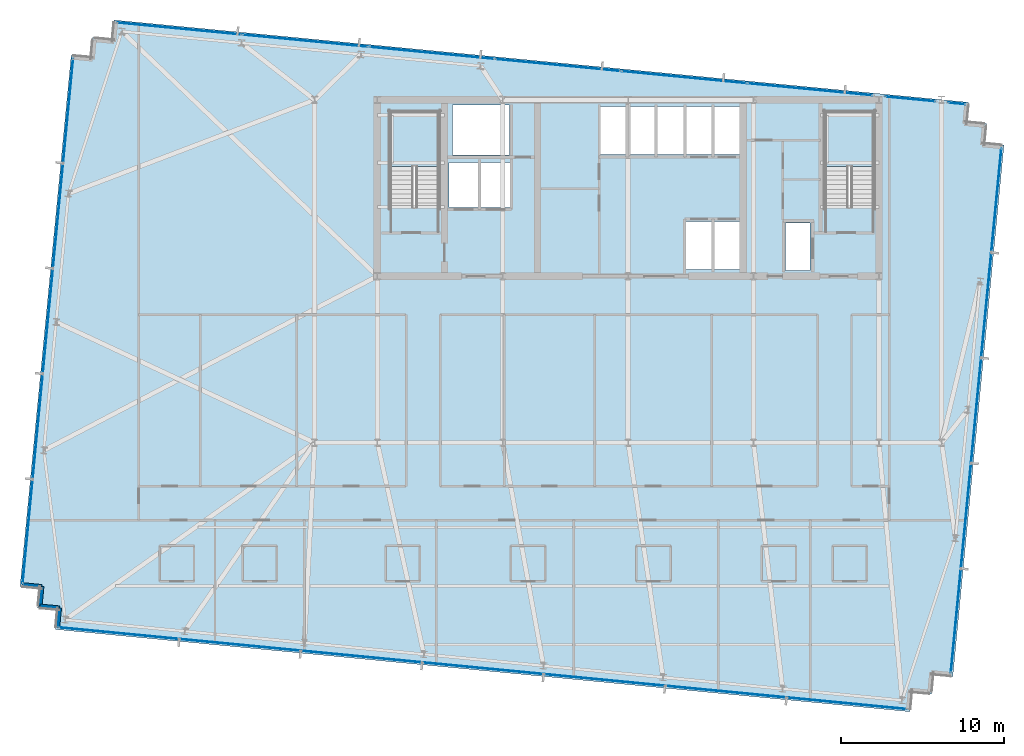
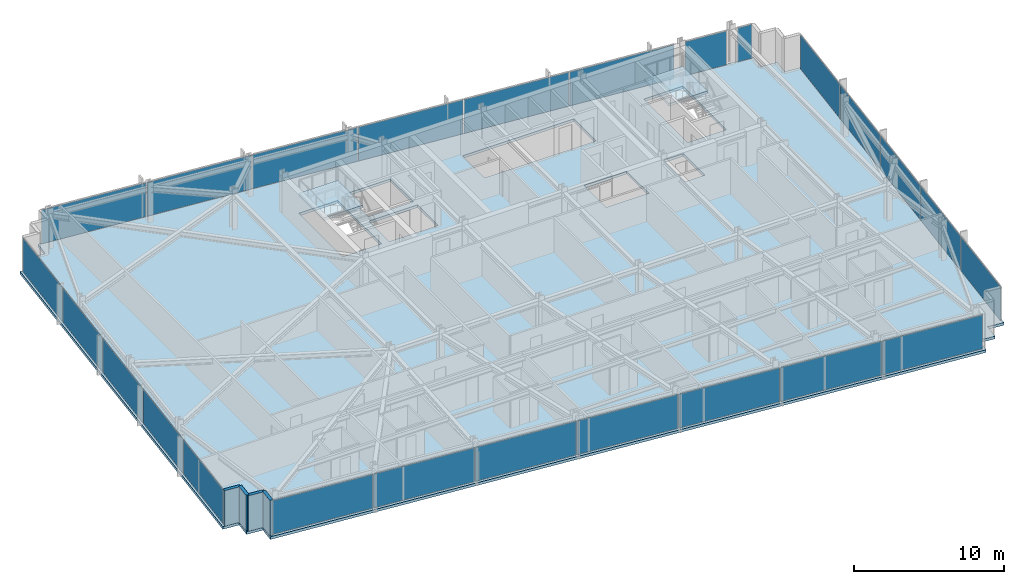
# One storey, part 28 of 37: 25 plates, 4 walls, 3 slabs, 8 elements without a shape of their own.
"""IFC4 building model written with IfcOpenShell, lengths in metres."""

from ifc_helpers import new_model, si_unit, direction, frame, frame_2d, origin, origin_2d, place, context, subcontext, project, spatial, polyline, rectangle, outline, extrude, material, layer, layer_set, type_object, element, aggregate, save


model = new_model("IFC4")

# Units and contexts
model_context = context("Model", 3, precision=1e-05, world=origin(), true_north=direction((0.0, 1.0)))
body_context = subcontext(model_context, "Body", "Model", "MODEL_VIEW")
ifc_project = project(units=[si_unit("LENGTHUNIT", "METRE"), si_unit("AREAUNIT", "SQUARE_METRE"), si_unit("VOLUMEUNIT", "CUBIC_METRE"), si_unit("PLANEANGLEUNIT", "RADIAN"), si_unit("MASSUNIT", "GRAM", prefix="KILO")], contexts=[model_context])

# Site, building, storey
site_placement = place(None, origin())
site = spatial("IfcSite", under=ifc_project, at=site_placement, CompositionType="ELEMENT")
building_placement = place(site_placement, origin())
building = spatial("IfcBuilding", under=site, at=building_placement, Name="Yelkora Congress Tower", CompositionType="ELEMENT")
storey_placement = place(building_placement, frame((0.0, 0.0, 188.60009765625)))
storey = spatial("IfcBuildingStorey", under=building, at=storey_placement, Name="L52", CompositionType="ELEMENT", Elevation=188.60009765625)

# Curtain wall, plates
ifc_material_1 = material(Name="Anodised aluminium and insulated glass", Category="aluminium")
curtain_wall_type = type_object("IfcCurtainWallType", Name="CW-SYS-B3", PredefinedType="NOTDEFINED", material=ifc_material_1)
curtain_wall_1_placement = place(storey_placement, origin())
curtain_wall_1 = element("IfcCurtainWall", 1, at=curtain_wall_1_placement, inside=storey, type_object=curtain_wall_type, Name="L52 Unitised Curtain Wall 5", PredefinedType="NOTDEFINED")
ifc_material_2 = material(Name="Acoustic laminated hotel glass unit B3", Category="glass")
ifc_layer_1 = layer(ifc_material_2, 0.0419921875)
ifc_layer_set_1 = layer_set([ifc_layer_1], Name="Acoustic laminated hotel glass unit B3")
plate_type = type_object("IfcPlateType", Name="PLT-PN-B3", PredefinedType="CURTAIN_PANEL", material=ifc_layer_set_1)
plate_1_placement = place(storey_placement, frame((1.61572265625, 19.75244140625, 0.06005859375), z_axis=(0.0, 0.0, 1.0), x_axis=(0.095845294465, 0.995396242473, 0.0)))
plate_1 = element("IfcPlate", 2, at=plate_1_placement, type_object=plate_type, Name="CW-B3 panel 1.1", PredefinedType="CURTAIN_PANEL", context=body_context, shape_type="SweptSolid", body=[
    extrude(rectangle(XDim=6.37890625, YDim=0.0419921875, at=origin_2d()), origin(), (0.0, 0.0, 1.0), 2.760009765625),
])
plate_2_placement = place(storey_placement, frame((2.235595703125, 26.189208984375, 0.06005859375), z_axis=(0.0, 0.0, 1.0), x_axis=(0.095845294465, 0.995396242473, 0.0)))
plate_2 = element("IfcPlate", 3, at=plate_2_placement, type_object=plate_type, Name="CW-B3 panel 2.1", PredefinedType="CURTAIN_PANEL", context=body_context, shape_type="SweptSolid", body=[
    extrude(rectangle(XDim=6.4140625, YDim=0.0419921875, at=origin_2d()), origin(), (0.0, 0.0, 1.0), 2.760009765625),
])
plate_3_placement = place(storey_placement, frame((2.85693359375, 32.643310546875, 0.06005859375), z_axis=(0.0, 0.0, 1.0), x_axis=(0.095845294465, 0.995396242473, 0.0)))
plate_3 = element("IfcPlate", 4, at=plate_3_placement, type_object=plate_type, Name="CW-B3 panel 3.1", PredefinedType="CURTAIN_PANEL", context=body_context, shape_type="SweptSolid", body=[
    extrude(rectangle(XDim=6.4140625, YDim=0.0419921875, at=origin_2d()), origin(), (0.0, 0.0, 1.0), 2.760009765625),
])
plate_4_placement = place(storey_placement, frame((3.478515625, 39.097412109375, 0.06005859375), z_axis=(0.0, 0.0, 1.0), x_axis=(0.095845294465, 0.995396242473, 0.0)))
plate_4 = element("IfcPlate", 5, at=plate_4_placement, type_object=plate_type, Name="CW-B3 panel 4.1", PredefinedType="CURTAIN_PANEL", context=body_context, shape_type="SweptSolid", body=[
    extrude(rectangle(XDim=6.4140625, YDim=0.0419921875, at=origin_2d()), origin(), (0.0, 0.0, 1.0), 2.760009765625),
])
plate_5_placement = place(storey_placement, frame((4.09814453125, 45.5341796875, 0.06005859375), z_axis=(0.0, 0.0, 1.0), x_axis=(0.095845294465, 0.995396242473, 0.0)))
plate_5 = element("IfcPlate", 6, at=plate_5_placement, type_object=plate_type, Name="CW-B3 panel 5.1", PredefinedType="CURTAIN_PANEL", context=body_context, shape_type="SweptSolid", body=[
    extrude(rectangle(XDim=6.37890625, YDim=0.0419921875, at=origin_2d()), origin(), (0.0, 0.0, 1.0), 2.760009765625),
])
aggregate(curtain_wall_1, [plate_1, plate_2, plate_3, plate_4, plate_5])

curtain_wall_2_placement = place(storey_placement, origin())
curtain_wall_2 = element("IfcCurtainWall", 7, at=curtain_wall_2_placement, inside=storey, type_object=curtain_wall_type, Name="L52 Unitised Curtain Wall 10 (1)", PredefinedType="NOTDEFINED")
plate_6_placement = place(storey_placement, frame((10.913818359375, 50.5634765625, 0.06005859375), z_axis=(0.0, 0.0, 1.0), x_axis=(0.995396293823, -0.095844761168, 0.0)))
plate_6 = element("IfcPlate", 8, at=plate_6_placement, type_object=plate_type, Name="CW-B3 panel 1.1", PredefinedType="CURTAIN_PANEL", context=body_context, shape_type="SweptSolid", body=[
    extrude(rectangle(XDim=7.664306640625, YDim=0.0419921875, at=origin_2d()), origin(), (0.0, 0.0, 1.0), 2.760009765625),
])
plate_7_placement = place(storey_placement, frame((18.6298828125, 49.820556640625, 0.06005859375), z_axis=(0.0, 0.0, 1.0), x_axis=(0.995396293823, -0.095844761168, 0.0)))
plate_7 = element("IfcPlate", 9, at=plate_7_placement, type_object=plate_type, Name="CW-B3 panel 2.1", PredefinedType="CURTAIN_PANEL", context=body_context, shape_type="SweptSolid", body=[
    extrude(rectangle(XDim=7.69921875, YDim=0.0419921875, at=origin_2d()), origin(), (0.0, 0.0, 1.0), 2.760009765625),
])
plate_8_placement = place(storey_placement, frame((26.363525390625, 49.075927734375, 0.06005859375), z_axis=(0.0, 0.0, 1.0), x_axis=(0.995396293823, -0.095844761168, 0.0)))
plate_8 = element("IfcPlate", 10, at=plate_8_placement, type_object=plate_type, Name="CW-B3 panel 3.1", PredefinedType="CURTAIN_PANEL", context=body_context, shape_type="SweptSolid", body=[
    extrude(rectangle(XDim=7.69921875, YDim=0.0419921875, at=origin_2d()), origin(), (0.0, 0.0, 1.0), 2.760009765625),
])
plate_9_placement = place(storey_placement, frame((34.09716796875, 48.331298828125, 0.06005859375), z_axis=(0.0, 0.0, 1.0), x_axis=(0.995396293823, -0.095844761168, 0.0)))
plate_9 = element("IfcPlate", 11, at=plate_9_placement, type_object=plate_type, Name="CW-B3 panel 4.1", PredefinedType="CURTAIN_PANEL", context=body_context, shape_type="SweptSolid", body=[
    extrude(rectangle(XDim=7.69921875, YDim=0.0419921875, at=origin_2d()), origin(), (0.0, 0.0, 1.0), 2.760009765625),
])
plate_10_placement = place(storey_placement, frame((41.83056640625, 47.586669921875, 0.06005859375), z_axis=(0.0, 0.0, 1.0), x_axis=(0.995396293823, -0.095844761168, 0.0)))
plate_10 = element("IfcPlate", 12, at=plate_10_placement, type_object=plate_type, Name="CW-B3 panel 5.1", PredefinedType="CURTAIN_PANEL", context=body_context, shape_type="SweptSolid", body=[
    extrude(rectangle(XDim=7.69921875, YDim=0.0419921875, at=origin_2d()), origin(), (0.0, 0.0, 1.0), 2.760009765625),
])
plate_11_placement = place(storey_placement, frame((49.546875, 46.84375, 0.06005859375), z_axis=(0.0, 0.0, 1.0), x_axis=(0.995396293823, -0.095844761168, 0.0)))
plate_11 = element("IfcPlate", 13, at=plate_11_placement, type_object=plate_type, Name="CW-B3 panel 6.1", PredefinedType="CURTAIN_PANEL", context=body_context, shape_type="SweptSolid", body=[
    extrude(rectangle(XDim=7.664306640625, YDim=0.0419921875, at=origin_2d()), origin(), (0.0, 0.0, 1.0), 2.760009765625),
])
aggregate(curtain_wall_2, [plate_6, plate_7, plate_8, plate_9, plate_10, plate_11])

# Curtain wall, plate
curtain_wall_3_placement = place(storey_placement, origin())
curtain_wall_3 = element("IfcCurtainWall", 14, at=curtain_wall_3_placement, inside=storey, type_object=curtain_wall_type, Name="L52 Unitised Curtain Wall 10 (2)", PredefinedType="NOTDEFINED")
plate_12_placement = place(storey_placement, frame((55.679931640625, 46.253173828125, 0.06005859375), z_axis=(0.0, 0.0, 1.0), x_axis=(0.995395952188, -0.095848309157, 0.0)))
plate_12 = element("IfcPlate", 15, at=plate_12_placement, type_object=plate_type, Name="CW-B3 panel 1.1", PredefinedType="CURTAIN_PANEL", context=body_context, shape_type="SweptSolid", body=[
    extrude(rectangle(XDim=3.056640625, YDim=0.0419921875, at=origin_2d()), origin(), (0.0, 0.0, 1.0), 2.760009765625),
])
aggregate(curtain_wall_3, [plate_12])

curtain_wall_4_placement = place(storey_placement, origin())
curtain_wall_4 = element("IfcCurtainWall", 16, at=curtain_wall_4_placement, inside=storey, type_object=curtain_wall_type, Name="L52 Unitised Curtain Wall 10 (3)", PredefinedType="NOTDEFINED")
plate_13_placement = place(storey_placement, frame((58.518798828125, 45.979736328125, 0.06005859375), z_axis=(0.0, 0.0, 1.0), x_axis=(0.995395569658, -0.095852281686, 0.0)))
plate_13 = element("IfcPlate", 17, at=plate_13_placement, type_object=plate_type, Name="CW-B3 panel 1.1", PredefinedType="CURTAIN_PANEL", context=body_context, shape_type="SweptSolid", body=[
    extrude(rectangle(XDim=1.045166015625, YDim=0.0419921875, at=origin_2d()), origin(), (0.0, 0.0, 1.0), 2.760009765625),
])
aggregate(curtain_wall_4, [plate_13])

# Curtain wall, plates
curtain_wall_5_placement = place(storey_placement, origin())
curtain_wall_5 = element("IfcCurtainWall", 18, at=curtain_wall_5_placement, inside=storey, type_object=curtain_wall_type, Name="L52 Unitised Curtain Wall 15", PredefinedType="NOTDEFINED")
plate_14_placement = place(storey_placement, frame((60.955322265625, 40.0595703125, 0.06005859375), z_axis=(0.0, 0.0, 1.0), x_axis=(-0.095841944023, -0.995396565076, 0.0)))
plate_14 = element("IfcPlate", 19, at=plate_14_placement, type_object=plate_type, Name="CW-B3 panel 1.1", PredefinedType="CURTAIN_PANEL", context=body_context, shape_type="SweptSolid", body=[
    extrude(rectangle(XDim=6.37890625, YDim=0.0419921875, at=origin_2d()), origin(), (0.0, 0.0, 1.0), 2.760009765625),
])
plate_15_placement = place(storey_placement, frame((60.33544921875, 33.622802734375, 0.06005859375), z_axis=(0.0, 0.0, 1.0), x_axis=(-0.095841944023, -0.995396565076, 0.0)))
plate_15 = element("IfcPlate", 20, at=plate_15_placement, type_object=plate_type, Name="CW-B3 panel 2.1", PredefinedType="CURTAIN_PANEL", context=body_context, shape_type="SweptSolid", body=[
    extrude(rectangle(XDim=6.4140625, YDim=0.0419921875, at=origin_2d()), origin(), (0.0, 0.0, 1.0), 2.760009765625),
])
plate_16_placement = place(storey_placement, frame((59.714111328125, 27.168701171875, 0.06005859375), z_axis=(0.0, 0.0, 1.0), x_axis=(-0.095841944023, -0.995396565076, 0.0)))
plate_16 = element("IfcPlate", 21, at=plate_16_placement, type_object=plate_type, Name="CW-B3 panel 3.1", PredefinedType="CURTAIN_PANEL", context=body_context, shape_type="SweptSolid", body=[
    extrude(rectangle(XDim=6.4140625, YDim=0.0419921875, at=origin_2d()), origin(), (0.0, 0.0, 1.0), 2.760009765625),
])
plate_17_placement = place(storey_placement, frame((59.092529296875, 20.71435546875, 0.06005859375), z_axis=(0.0, 0.0, 1.0), x_axis=(-0.095841944023, -0.995396565076, 0.0)))
plate_17 = element("IfcPlate", 22, at=plate_17_placement, type_object=plate_type, Name="CW-B3 panel 4.1", PredefinedType="CURTAIN_PANEL", context=body_context, shape_type="SweptSolid", body=[
    extrude(rectangle(XDim=6.4140625, YDim=0.0419921875, at=origin_2d()), origin(), (0.0, 0.0, 1.0), 2.760009765625),
])
plate_18_placement = place(storey_placement, frame((58.472900390625, 14.277587890625, 0.06005859375), z_axis=(0.0, 0.0, 1.0), x_axis=(-0.095841944023, -0.995396565076, 0.0)))
plate_18 = element("IfcPlate", 23, at=plate_18_placement, type_object=plate_type, Name="CW-B3 panel 5.1", PredefinedType="CURTAIN_PANEL", context=body_context, shape_type="SweptSolid", body=[
    extrude(rectangle(XDim=6.37890625, YDim=0.0419921875, at=origin_2d()), origin(), (0.0, 0.0, 1.0), 2.760009765625),
])
aggregate(curtain_wall_5, [plate_14, plate_15, plate_16, plate_17, plate_18])

curtain_wall_6_placement = place(storey_placement, origin())
curtain_wall_6 = element("IfcCurtainWall", 24, at=curtain_wall_6_placement, inside=storey, type_object=curtain_wall_type, Name="L52 Unitised Curtain Wall 20", PredefinedType="NOTDEFINED")
plate_19_placement = place(storey_placement, frame((51.803955078125, 9.234130859375, 0.06005859375), z_axis=(0.0, 0.0, 1.0), x_axis=(-0.995396301573, 0.095844680679, 0.0)))
plate_19 = element("IfcPlate", 25, at=plate_19_placement, type_object=plate_type, Name="CW-B3 panel 1.1", PredefinedType="CURTAIN_PANEL", context=body_context, shape_type="SweptSolid", body=[
    extrude(rectangle(XDim=7.369384765625, YDim=0.0419921875, at=origin_2d()), origin(), (0.0, 0.0, 1.0), 2.760009765625),
])
plate_20_placement = place(storey_placement, frame((44.381591796875, 9.948974609375, 0.06005859375), z_axis=(0.0, 0.0, 1.0), x_axis=(-0.995396301573, 0.095844680679, 0.0)))
plate_20 = element("IfcPlate", 26, at=plate_20_placement, type_object=plate_type, Name="CW-B3 panel 2.1", PredefinedType="CURTAIN_PANEL", context=body_context, shape_type="SweptSolid", body=[
    extrude(rectangle(XDim=7.404296875, YDim=0.0419921875, at=origin_2d()), origin(), (0.0, 0.0, 1.0), 2.760009765625),
])
plate_21_placement = place(storey_placement, frame((36.941650390625, 10.665283203125, 0.06005859375), z_axis=(0.0, 0.0, 1.0), x_axis=(-0.995396301573, 0.095844680679, 0.0)))
plate_21 = element("IfcPlate", 27, at=plate_21_placement, type_object=plate_type, Name="CW-B3 panel 3.1", PredefinedType="CURTAIN_PANEL", context=body_context, shape_type="SweptSolid", body=[
    extrude(rectangle(XDim=7.404296875, YDim=0.0419921875, at=origin_2d()), origin(), (0.0, 0.0, 1.0), 2.760009765625),
])
plate_22_placement = place(storey_placement, frame((29.501708984375, 11.381591796875, 0.06005859375), z_axis=(0.0, 0.0, 1.0), x_axis=(-0.995396301573, 0.095844680679, 0.0)))
plate_22 = element("IfcPlate", 28, at=plate_22_placement, type_object=plate_type, Name="CW-B3 panel 4.1", PredefinedType="CURTAIN_PANEL", context=body_context, shape_type="SweptSolid", body=[
    extrude(rectangle(XDim=7.404296875, YDim=0.0419921875, at=origin_2d()), origin(), (0.0, 0.0, 1.0), 2.760009765625),
])
plate_23_placement = place(storey_placement, frame((22.06201171875, 12.097900390625, 0.06005859375), z_axis=(0.0, 0.0, 1.0), x_axis=(-0.995396301573, 0.095844680679, 0.0)))
plate_23 = element("IfcPlate", 29, at=plate_23_placement, type_object=plate_type, Name="CW-B3 panel 5.1", PredefinedType="CURTAIN_PANEL", context=body_context, shape_type="SweptSolid", body=[
    extrude(rectangle(XDim=7.404296875, YDim=0.0419921875, at=origin_2d()), origin(), (0.0, 0.0, 1.0), 2.760009765625),
])
plate_24_placement = place(storey_placement, frame((14.6220703125, 12.814453125, 0.06005859375), z_axis=(0.0, 0.0, 1.0), x_axis=(-0.995396301573, 0.095844680679, 0.0)))
plate_24 = element("IfcPlate", 30, at=plate_24_placement, type_object=plate_type, Name="CW-B3 panel 6.1", PredefinedType="CURTAIN_PANEL", context=body_context, shape_type="SweptSolid", body=[
    extrude(rectangle(XDim=7.404296875, YDim=0.0419921875, at=origin_2d()), origin(), (0.0, 0.0, 1.0), 2.760009765625),
])
plate_25_placement = place(storey_placement, frame((7.199462890625, 13.529052734375, 0.06005859375), z_axis=(0.0, 0.0, 1.0), x_axis=(-0.995396301573, 0.095844680679, 0.0)))
plate_25 = element("IfcPlate", 31, at=plate_25_placement, type_object=plate_type, Name="CW-B3 panel 7.1", PredefinedType="CURTAIN_PANEL", context=body_context, shape_type="SweptSolid", body=[
    extrude(rectangle(XDim=7.369384765625, YDim=0.0419921875, at=origin_2d()), origin(), (0.0, 0.0, 1.0), 2.760009765625),
])
aggregate(curtain_wall_6, [plate_19, plate_20, plate_21, plate_22, plate_23, plate_24, plate_25])

# Stair, slab
ifc_material_3 = material(Name="Concrete C40/50", Category="concrete")
stair_type = type_object("IfcStairType", Name="STAIR-HT-1420-R20-165", PredefinedType="HALF_TURN_STAIR", material=ifc_material_3)
stair_1_placement = place(storey_placement, origin())
stair_1 = element("IfcStair", 32, at=stair_1_placement, inside=storey, type_object=stair_type, Name="West Core Protected Exit Stair ST-01 (L52)", PredefinedType="HALF_TURN_STAIR")
ifc_layer_2 = layer(ifc_material_3, 0.219970703125)
ifc_layer_set_2 = layer_set([ifc_layer_2], Name="Concrete C40/50")
slab_type_1 = type_object("IfcSlabType", Name="SLAB-LANDING-220", PredefinedType="LANDING", material=ifc_layer_set_2)
slab_1_placement = place(storey_placement, frame((0.0, 0.0, 1.429931640625)))
slab_1 = element("IfcSlab", 33, at=slab_1_placement, type_object=slab_type_1, Name="ST-01 L52 Half Landing 1", PredefinedType="LANDING", context=body_context, shape_type="SweptSolid", body=[
    extrude(outline(polyline([(26.820068359375, 42.1201171875), (26.820068359375, 45.469970703125), (23.820068359375, 45.469970703125), (23.820068359375, 42.1201171875), (26.820068359375, 42.1201171875)])), origin(), (0.0, 0.0, 1.0), 0.219970703125),
])
aggregate(stair_1, [slab_1])

stair_2_placement = place(storey_placement, origin())
stair_2 = element("IfcStair", 34, at=stair_2_placement, inside=storey, type_object=stair_type, Name="East Core Protected Exit Stair ST-02 (L52)", PredefinedType="HALF_TURN_STAIR")
slab_2_placement = place(storey_placement, frame((0.0, 0.0, 1.429931640625)))
slab_2 = element("IfcSlab", 35, at=slab_2_placement, type_object=slab_type_1, Name="ST-02 L52 Half Landing 1", PredefinedType="LANDING", context=body_context, shape_type="SweptSolid", body=[
    extrude(outline(polyline([(53.4599609375, 42.1201171875), (53.4599609375, 45.469970703125), (50.4599609375, 45.469970703125), (50.4599609375, 42.1201171875), (53.4599609375, 42.1201171875)])), origin(), (0.0, 0.0, 1.0), 0.219970703125),
])
aggregate(stair_2, [slab_2])

# Slab
ifc_layer_3 = layer(ifc_material_3, 0.219970703125)
ifc_layer_set_3 = layer_set([ifc_layer_3], Name="Concrete C40/50")
slab_type_2 = type_object("IfcSlabType", Name="SLAB-TWR-220", PredefinedType="FLOOR", material=ifc_layer_set_3)
slab_3_placement = place(storey_placement, frame((0.0, 0.0, -0.22021484375)))
element("IfcSlab", 36, at=slab_3_placement, inside=storey, type_object=slab_type_2, Name="L52 Structural Floor Slab", PredefinedType="FLOOR", context=body_context, shape_type="SweptSolid", body=[
    extrude(outline(polyline([(3.309326171875, 13.762939453125), (55.667236328125, 8.721435546875), (55.7822265625, 9.916015625), (56.976806640625, 9.801025390625), (57.091796875, 10.99560546875), (58.286376953125, 10.88037109375), (61.42041015625, 43.429931640625), (60.225830078125, 43.544921875), (60.341064453125, 44.739501953125), (59.146484375, 44.8544921875), (59.261474609375, 46.048828125), (6.90380859375, 51.09033203125), (6.78857421875, 49.89599609375), (5.59423828125, 50.010986328125), (5.479248046875, 48.81640625), (4.28466796875, 48.931396484375), (1.150390625, 16.382080078125), (2.344970703125, 16.26708984375), (2.22998046875, 15.072509765625), (3.424560546875, 14.95751953125), (3.309326171875, 13.762939453125)]), holes=[polyline([(23.820068359375, 39.6298828125), (26.820068359375, 39.6298828125), (26.820068359375, 45.469970703125), (23.820068359375, 45.469970703125), (23.820068359375, 39.6298828125)]), polyline([(50.4599609375, 39.6298828125), (53.4599609375, 39.6298828125), (53.4599609375, 45.469970703125), (50.4599609375, 45.469970703125), (50.4599609375, 39.6298828125)]), polyline([(48.050048828125, 35.75), (49.550048828125, 35.75), (49.550048828125, 38.64990234375), (48.050048828125, 38.64990234375), (48.050048828125, 35.75)]), polyline([(36.64990234375, 42.85009765625), (45.25, 42.85009765625), (45.25, 45.800048828125), (36.64990234375, 45.800048828125), (36.64990234375, 42.85009765625)]), polyline([(41.949951171875, 35.800048828125), (45.25, 35.800048828125), (45.25, 38.75), (41.949951171875, 38.75), (41.949951171875, 35.800048828125)]), polyline([(27.419921875, 39.60009765625), (31.179931640625, 39.60009765625), (31.179931640625, 42.35009765625), (27.419921875, 42.35009765625), (27.419921875, 39.60009765625)]), polyline([(27.64990234375, 42.820068359375), (31.1201171875, 42.820068359375), (31.1201171875, 45.8798828125), (27.64990234375, 45.8798828125), (27.64990234375, 42.820068359375)])]), origin(), (0.0, 0.0, 1.0), 0.22021484375),
])

# Walls
ifc_layer_4 = layer(ifc_material_3, 0.239990234375)
ifc_layer_set_4 = layer_set([ifc_layer_4], Name="Concrete C40/50")
wall_type = type_object("IfcWallType", Name="WALL-EXT-LIMESTONE-240", PredefinedType="SOLIDWALL", material=ifc_layer_set_4)
for number, where, z_axis, x_axis, name in (
    (37, (3.462158203125, 13.888916015625, 0.0), (0.0, 0.0, 1.0), (0.096018626938, 0.995379537303, 0.0), "L52 Serrated Corner Limestone Pier 1"),
    (38, (3.577392578125, 15.08349609375, 0.0), (0.0, 0.0, 1.0), (-0.995398960025, 0.095817067274, 0.0), "L52 Serrated Corner Limestone Pier 2"),
):
    element("IfcWall", number, at=place(storey_placement, frame(where, z_axis=z_axis, x_axis=x_axis)), inside=storey, type_object=wall_type, Name=name, PredefinedType="SOLIDWALL", context=body_context, shape_type="SweptSolid", body=[
        extrude(rectangle(XDim=1.2001953125, YDim=0.239990234375, at=frame_2d((0.60009765625, 0.0))), origin(), (0.0, 0.0, 1.0), 2.8798828125),
    ])
wall_1_placement = place(storey_placement, frame((2.3828125, 15.198486328125, 0.0), z_axis=(0.0, 0.0, 1.0), x_axis=(0.095836473879, 0.995397091755, 0.0)))
element("IfcWall", 39, at=wall_1_placement, inside=storey, type_object=wall_type, Name="L52 Serrated Corner Limestone Pier 3", PredefinedType="SOLIDWALL", context=body_context, shape_type="SweptSolid", body=[
    extrude(rectangle(XDim=1.199951171875, YDim=0.239990234375, at=frame_2d((0.60009765625, 0.0))), origin(), (0.0, 0.0, 1.0), 2.8798828125),
])
wall_2_placement = place(storey_placement, frame((2.497802734375, 16.392822265625, 0.0), z_axis=(0.0, 0.0, 1.0), x_axis=(-0.995398960025, 0.095817067274, 0.0)))
element("IfcWall", 40, at=wall_2_placement, inside=storey, type_object=wall_type, Name="L52 Serrated Corner Limestone Pier 4", PredefinedType="SOLIDWALL", context=body_context, shape_type="SweptSolid", body=[
    extrude(rectangle(XDim=1.2001953125, YDim=0.239990234375, at=frame_2d((0.60009765625, 0.0))), origin(), (0.0, 0.0, 1.0), 2.8798828125),
])

save(model, "model.ifc")
